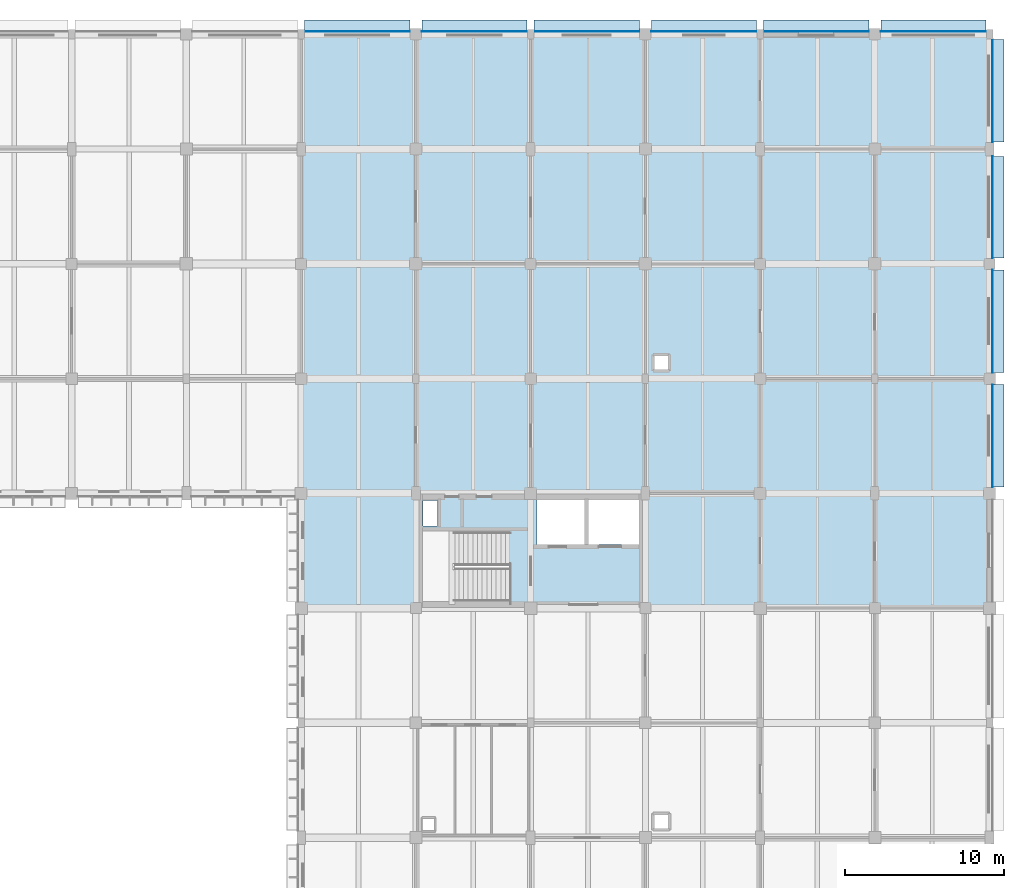
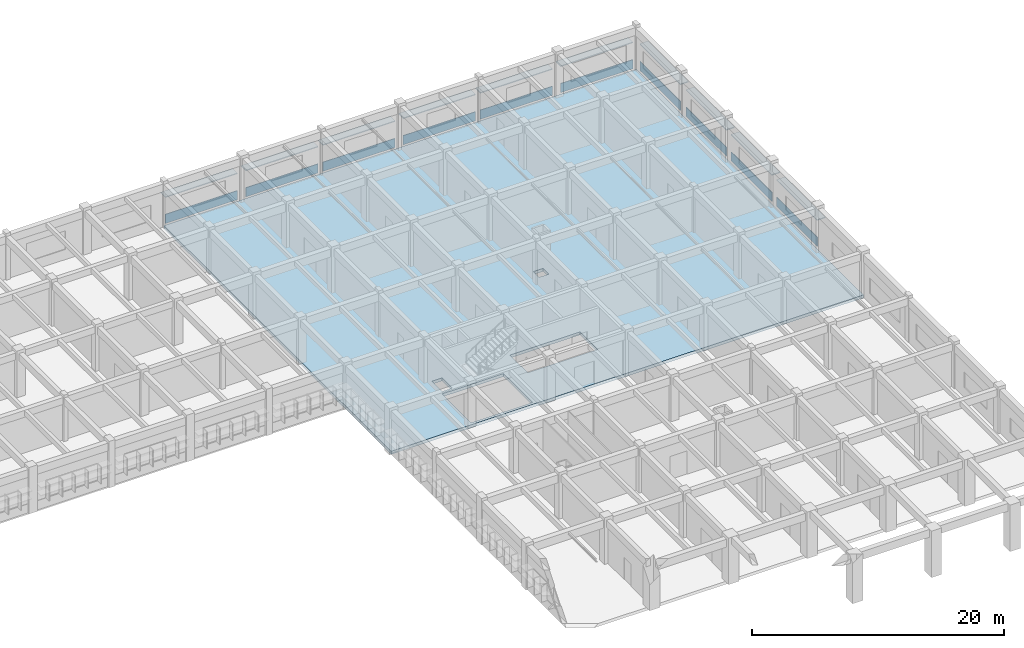
# One storey, part 33 of 61: 20 plates, 1 slab.
"""IFC4 building model written with IfcOpenShell, lengths in metres."""

from ifc_helpers import new_model, si_unit, direction, frame, origin, origin_2d, place, context, subcontext, project, spatial, polyline, rectangle, outline, extrude, material, layer, layer_set, type_object, element, save


model = new_model("IFC4")

# Units and contexts
model_context = context("Model", 3, precision=1e-05, world=origin(), true_north=direction((0.0, 1.0)))
body_context = subcontext(model_context, "Body", "Model", "MODEL_VIEW")
ifc_project = project(units=[si_unit("LENGTHUNIT", "METRE"), si_unit("AREAUNIT", "SQUARE_METRE"), si_unit("VOLUMEUNIT", "CUBIC_METRE"), si_unit("PLANEANGLEUNIT", "RADIAN"), si_unit("MASSUNIT", "GRAM", prefix="KILO")], contexts=[model_context])

# Site, building, storey
site_placement = place(None, origin())
site = spatial("IfcSite", under=ifc_project, at=site_placement, CompositionType="ELEMENT")
building_placement = place(site_placement, origin())
building = spatial("IfcBuilding", under=site, at=building_placement, Name="Thalmaran Polytechnic", CompositionType="ELEMENT")
storey_placement = place(building_placement, frame((0.0, 0.0, 9.89990234375)))
storey = spatial("IfcBuildingStorey", under=building, at=storey_placement, Name="L02", CompositionType="ELEMENT", Elevation=9.89990234375)

# Plates
ifc_material_1 = material(Name="Anodised aluminium spandrel band", Category="aluminium")
ifc_layer_1 = layer(ifc_material_1, 0.054931640625, Name="Anodised aluminium spandrel band")
ifc_layer_set_1 = layer_set([ifc_layer_1], Name="Anodised aluminium spandrel band")
plate_type_1 = type_object("IfcPlateType", Name="PT-BD01", PredefinedType="SHEET", material=ifc_layer_set_1)
for number, where, z_axis, x_axis, name in (
    (1, (133.1201171875, 122.580078125, 0.020263671875), (0.0, 0.0, 1.0), (1.0, 0.0, 0.0), "Streamline Horizontal Spandrel Band L02-046"),
    (2, (140.47998046875, 122.580078125, 0.020263671875), (0.0, 0.0, 1.0), (1.0, 0.0, 0.0), "Streamline Horizontal Spandrel Band L02-047"),
    (3, (147.52001953125, 122.580078125, 0.020263671875), (0.0, 0.0, 1.0), (1.0, 0.0, 0.0), "Streamline Horizontal Spandrel Band L02-048"),
    (4, (154.8798828125, 122.580078125, 0.020263671875), (0.0, 0.0, 1.0), (1.0, 0.0, 0.0), "Streamline Horizontal Spandrel Band L02-049"),
    (5, (161.919921875, 122.580078125, 0.020263671875), (0.0, 0.0, 1.0), (1.0, 0.0, 0.0), "Streamline Horizontal Spandrel Band L02-050"),
    (6, (169.280029296875, 122.580078125, 0.020263671875), (0.0, 0.0, 1.0), (1.0, 0.0, 0.0), "Streamline Horizontal Spandrel Band L02-051"),
):
    element("IfcPlate", number, at=place(storey_placement, frame(where, z_axis=z_axis, x_axis=x_axis)), inside=storey, type_object=plate_type_1, Name=name, PredefinedType="SHEET", context=body_context, shape_type="SweptSolid", body=[
        extrude(rectangle(XDim=6.60009765625, YDim=0.054931640625, at=origin_2d()), origin(), (0.0, 0.0, 1.0), 0.8798828125),
    ])
plate_1_placement = place(storey_placement, frame((172.97998046875, 118.862548828125, 0.020263671875), z_axis=(0.0, 0.0, 1.0), x_axis=(0.0, -1.0, 0.0)))
element("IfcPlate", 7, at=plate_1_placement, inside=storey, type_object=plate_type_1, Name="Streamline Horizontal Spandrel Band L02-052", PredefinedType="SHEET", context=body_context, shape_type="SweptSolid", body=[
    extrude(rectangle(XDim=6.43505859375, YDim=0.054931640625, at=origin_2d()), origin(), (0.0, 0.0, 1.0), 0.8798828125),
])
plate_2_placement = place(storey_placement, frame((172.97998046875, 111.5625, 0.020263671875), z_axis=(0.0, 0.0, 1.0), x_axis=(0.0, -1.0, 0.0)))
element("IfcPlate", 8, at=plate_2_placement, inside=storey, type_object=plate_type_1, Name="Streamline Horizontal Spandrel Band L02-053", PredefinedType="SHEET", context=body_context, shape_type="SweptSolid", body=[
    extrude(rectangle(XDim=6.385009765625, YDim=0.054931640625, at=origin_2d()), origin(), (0.0, 0.0, 1.0), 0.8798828125),
])
plate_3_placement = place(storey_placement, frame((172.97998046875, 104.405029296875, 0.020263671875), z_axis=(0.0, 0.0, 1.0), x_axis=(0.0, -1.0, 0.0)))
element("IfcPlate", 9, at=plate_3_placement, inside=storey, type_object=plate_type_1, Name="Streamline Horizontal Spandrel Band L02-054", PredefinedType="SHEET", context=body_context, shape_type="SweptSolid", body=[
    extrude(rectangle(XDim=6.449951171875, YDim=0.054931640625, at=origin_2d()), origin(), (0.0, 0.0, 1.0), 0.8798828125),
])
plate_4_placement = place(storey_placement, frame((172.97998046875, 97.20751953125, 0.020263671875), z_axis=(0.0, 0.0, 1.0), x_axis=(0.0, -1.0, 0.0)))
element("IfcPlate", 10, at=plate_4_placement, inside=storey, type_object=plate_type_1, Name="Streamline Horizontal Spandrel Band L02-055", PredefinedType="SHEET", context=body_context, shape_type="SweptSolid", body=[
    extrude(rectangle(XDim=6.425048828125, YDim=0.054931640625, at=origin_2d()), origin(), (0.0, 0.0, 1.0), 0.8798828125),
])
ifc_material_2 = material(Name="Anodised aluminium sun-hood eyebrow", Category="aluminium")
ifc_layer_2 = layer(ifc_material_2, 0.0849609375, Name="Anodised aluminium sun-hood eyebrow")
ifc_layer_set_2 = layer_set([ifc_layer_2], Name="Anodised aluminium sun-hood eyebrow")
plate_type_2 = type_object("IfcPlateType", Name="PT-EB01", PredefinedType="SHEET", material=ifc_layer_set_2)
for number, where, z_axis, x_axis, name in (
    (11, (133.1201171875, 122.925048828125, 2.517578125), (0.0, 0.0, 1.0), (1.0, 0.0, 0.0), "Streamline Sun-Hood Eyebrow L02-046"),
    (12, (140.47998046875, 122.925048828125, 2.517578125), (0.0, 0.0, 1.0), (1.0, 0.0, 0.0), "Streamline Sun-Hood Eyebrow L02-047"),
    (13, (147.52001953125, 122.925048828125, 2.517578125), (0.0, 0.0, 1.0), (1.0, 0.0, 0.0), "Streamline Sun-Hood Eyebrow L02-048"),
    (14, (154.8798828125, 122.925048828125, 2.517578125), (0.0, 0.0, 1.0), (1.0, 0.0, 0.0), "Streamline Sun-Hood Eyebrow L02-049"),
    (15, (161.919921875, 122.925048828125, 2.517578125), (0.0, 0.0, 1.0), (1.0, 0.0, 0.0), "Streamline Sun-Hood Eyebrow L02-050"),
    (16, (169.280029296875, 122.925048828125, 2.517578125), (0.0, 0.0, 1.0), (1.0, 0.0, 0.0), "Streamline Sun-Hood Eyebrow L02-051"),
):
    element("IfcPlate", number, at=place(storey_placement, frame(where, z_axis=z_axis, x_axis=x_axis)), inside=storey, type_object=plate_type_2, Name=name, PredefinedType="SHEET", context=body_context, shape_type="SweptSolid", body=[
        extrude(rectangle(XDim=6.60009765625, YDim=0.760009765625, at=origin_2d()), origin(), (0.0, 0.0, 1.0), 0.0849609375),
    ])
plate_5_placement = place(storey_placement, frame((173.324951171875, 118.862548828125, 2.517578125), z_axis=(0.0, 0.0, 1.0), x_axis=(0.0, -1.0, 0.0)))
element("IfcPlate", 17, at=plate_5_placement, inside=storey, type_object=plate_type_2, Name="Streamline Sun-Hood Eyebrow L02-052", PredefinedType="SHEET", context=body_context, shape_type="SweptSolid", body=[
    extrude(rectangle(XDim=6.43505859375, YDim=0.760009765625, at=origin_2d()), origin(), (0.0, 0.0, 1.0), 0.0849609375),
])
plate_6_placement = place(storey_placement, frame((173.324951171875, 111.5625, 2.517578125), z_axis=(0.0, 0.0, 1.0), x_axis=(0.0, -1.0, 0.0)))
element("IfcPlate", 18, at=plate_6_placement, inside=storey, type_object=plate_type_2, Name="Streamline Sun-Hood Eyebrow L02-053", PredefinedType="SHEET", context=body_context, shape_type="SweptSolid", body=[
    extrude(rectangle(XDim=6.385009765625, YDim=0.760009765625, at=origin_2d()), origin(), (0.0, 0.0, 1.0), 0.0849609375),
])
plate_7_placement = place(storey_placement, frame((173.324951171875, 104.405029296875, 2.517578125), z_axis=(0.0, 0.0, 1.0), x_axis=(0.0, -1.0, 0.0)))
element("IfcPlate", 19, at=plate_7_placement, inside=storey, type_object=plate_type_2, Name="Streamline Sun-Hood Eyebrow L02-054", PredefinedType="SHEET", context=body_context, shape_type="SweptSolid", body=[
    extrude(rectangle(XDim=6.449951171875, YDim=0.760009765625, at=origin_2d()), origin(), (0.0, 0.0, 1.0), 0.0849609375),
])
plate_8_placement = place(storey_placement, frame((173.324951171875, 97.20751953125, 2.517578125), z_axis=(0.0, 0.0, 1.0), x_axis=(0.0, -1.0, 0.0)))
element("IfcPlate", 20, at=plate_8_placement, inside=storey, type_object=plate_type_2, Name="Streamline Sun-Hood Eyebrow L02-055", PredefinedType="SHEET", context=body_context, shape_type="SweptSolid", body=[
    extrude(rectangle(XDim=6.425048828125, YDim=0.760009765625, at=origin_2d()), origin(), (0.0, 0.0, 1.0), 0.0849609375),
])

# Slab
ifc_material_3 = material(Name="Concrete C40/50", Category="concrete")
ifc_layer_3 = layer(ifc_material_3, 0.2900390625, Name="Concrete C40/50")
ifc_layer_set_3 = layer_set([ifc_layer_3], Name="Concrete C40/50")
slab_type = type_object("IfcSlabType", Name="SL-FL04", PredefinedType="FLOOR", material=ifc_layer_set_3)
slab_placement = place(storey_placement, frame((0.0, 0.0, -0.289794921875)))
element("IfcSlab", 21, at=slab_placement, inside=storey, type_object=slab_type, Name="V5N L02 Structural Slab", PredefinedType="FLOOR", context=body_context, shape_type="SweptSolid", body=[
    extrude(outline(polyline([(144.0, 122.39990234375), (151.199951171875, 122.39990234375), (158.39990234375, 122.39990234375), (165.60009765625, 122.39990234375), (172.800048828125, 122.39990234375), (172.800048828125, 115.199951171875), (172.800048828125, 108.0), (172.800048828125, 100.800048828125), (172.800048828125, 93.60009765625), (172.800048828125, 86.39990234375), (165.60009765625, 86.39990234375), (158.39990234375, 86.39990234375), (151.199951171875, 86.39990234375), (144.0, 86.39990234375), (136.800048828125, 86.39990234375), (129.60009765625, 86.39990234375), (129.60009765625, 93.60009765625), (129.60009765625, 100.800048828125), (129.60009765625, 108.0), (129.60009765625, 115.199951171875), (129.60009765625, 122.39990234375), (136.800048828125, 122.39990234375), (144.0, 122.39990234375)]), holes=[polyline([(152.64990234375, 102.25), (151.75, 102.25), (151.75, 101.35009765625), (152.64990234375, 101.35009765625), (152.64990234375, 102.25)]), polyline([(144.39990234375, 93.199951171875), (144.39990234375, 90.39990234375), (150.800048828125, 90.39990234375), (150.800048828125, 93.199951171875), (144.39990234375, 93.199951171875)]), polyline([(142.679931640625, 86.64990234375), (142.679931640625, 91.239990234375), (137.050048828125, 91.239990234375), (137.050048828125, 86.64990234375), (142.679931640625, 86.64990234375)]), polyline([(137.239990234375, 91.5400390625), (138.159912109375, 91.5400390625), (138.159912109375, 93.159912109375), (137.239990234375, 93.159912109375), (137.239990234375, 91.5400390625)])]), origin(), (0.0, 0.0, 1.0), 0.289794921875),
])

save(model, "model.ifc")
